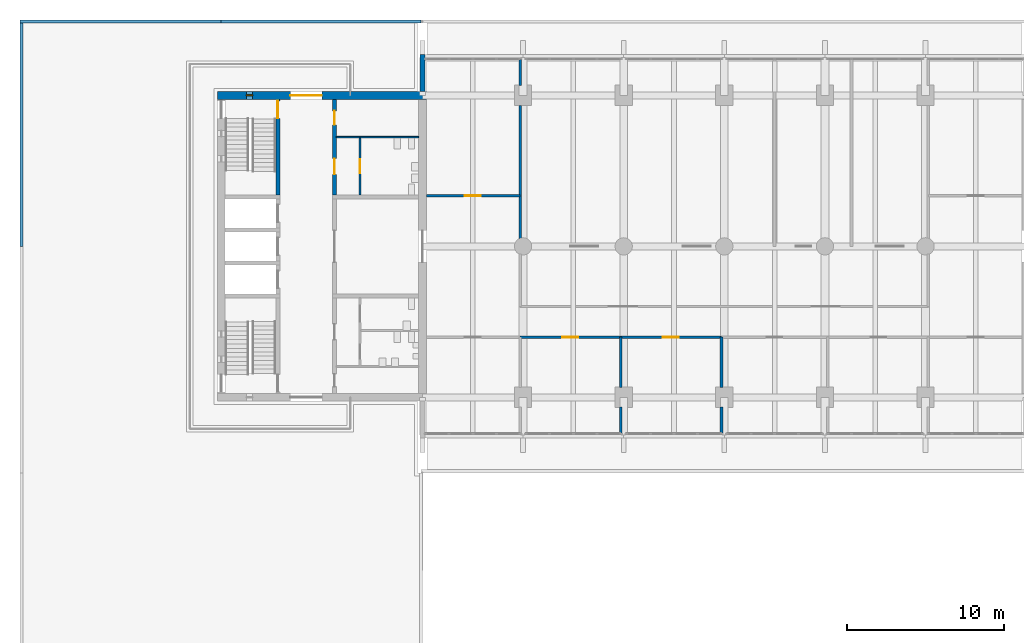
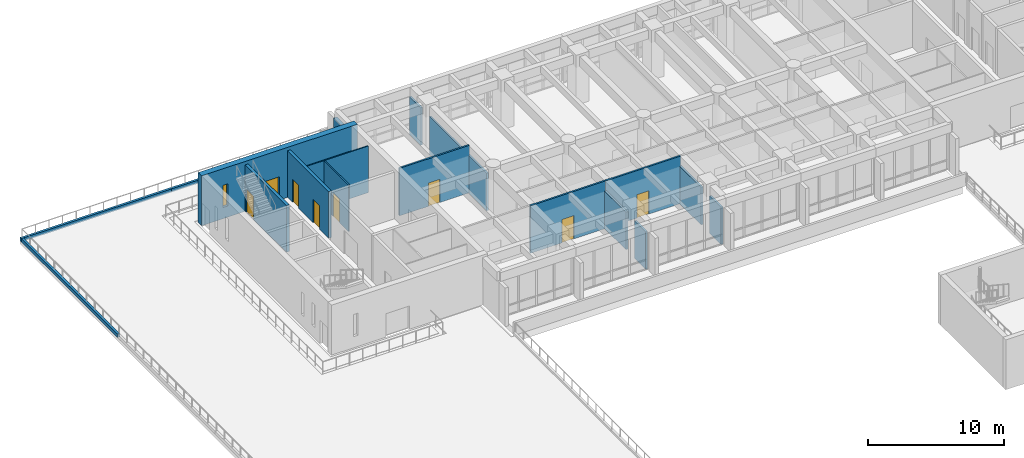
# One storey, part 12 of 21: 18 walls, 8 doors, 1 window, 9 openings.
"""IFC4 building model written with IfcOpenShell, lengths in metres."""

from ifc_helpers import new_model, si_unit, direction, frame, frame_2d, origin, place, context, subcontext, project, spatial, rectangle, extrude, material, layer, layer_set, type_object, element, fill, save


model = new_model("IFC4")

# Units and contexts
model_context = context("Model", 3, precision=1e-05, world=origin(), true_north=direction((0.0, 1.0)))
body_context = subcontext(model_context, "Body", "Model", "MODEL_VIEW")
ifc_project = project(units=[si_unit("LENGTHUNIT", "METRE"), si_unit("AREAUNIT", "SQUARE_METRE"), si_unit("VOLUMEUNIT", "CUBIC_METRE"), si_unit("PLANEANGLEUNIT", "RADIAN"), si_unit("MASSUNIT", "GRAM", prefix="KILO")], contexts=[model_context])

# Site, building, storey
site_placement = place(None, origin())
site = spatial("IfcSite", under=ifc_project, at=site_placement, CompositionType="ELEMENT")
building_placement = place(site_placement, origin())
building = spatial("IfcBuilding", under=site, at=building_placement, Name="Fogon Plaza Fire Station and Headquarters Tower", CompositionType="ELEMENT")
storey_placement = place(building_placement, frame((0.0, 0.0, 8.39990234375)))
storey = spatial("IfcBuildingStorey", under=building, at=storey_placement, Name="L02", CompositionType="ELEMENT", Elevation=8.39990234375)

# Wall, opening, door
ifc_material_1 = material(Name="Concrete C40", Category="concrete")
ifc_layer_1 = layer(ifc_material_1, 0.25)
ifc_layer_set_1 = layer_set([ifc_layer_1], Name="Concrete C40")
wall_type_1 = type_object("IfcWallType", Name="Core Wall RC 250", PredefinedType="SOLIDWALL", material=ifc_layer_set_1)
wall_1_placement = place(storey_placement, frame((16.39990234375, 46.47509765625, 0.0), z_axis=(0.0, 0.0, 1.0), x_axis=(0.0, 1.0, 0.0)))
wall_1 = element("IfcWall", 1, at=wall_1_placement, inside=storey, type_object=wall_type_1, Name="Core A shaft wall", PredefinedType="SOLIDWALL", context=body_context, shape_type="SweptSolid", body=[
    extrude(rectangle(XDim=6.074951171875, YDim=0.25, at=frame_2d((3.03759765625, 0.0))), origin(), (0.0, 0.0, 1.0), 4.2001953125),
])
opening_1_placement = place(wall_1_placement, frame((4.875, 0.0, 0.0)))
opening_1 = element("IfcOpeningElement", 2, at=opening_1_placement, cuts=wall_1, Name="Opening L02-D02", PredefinedType="OPENING", context=body_context, shape_type="SweptSolid", body=[
    extrude(rectangle(XDim=1.10009765625, YDim=2.10009765625, at=frame_2d((0.550048828125, 1.050048828125))), frame((0.0, 0.135009765625, 0.0), z_axis=(0.0, -1.0, 0.0), x_axis=(1.0, 0.0, 0.0)), (0.0, 0.0, 1.0), 0.27001953125),
])
ifc_material_2 = material(Name="Steel Fire Door Leaf", Category="steel")
door_type_1 = type_object("IfcDoorType", Name="Stair Door Single 1100x2100", OperationType="SINGLE_SWING_LEFT", PredefinedType="DOOR", material=ifc_material_2)
door_1_placement = place(opening_1_placement, origin())
door_1 = element("IfcDoor", 3, at=door_1_placement, inside=storey, type_object=door_type_1, Name="Stair door ST2", OperationType="SINGLE_SWING_RIGHT", OverallHeight=2.10009765625, OverallWidth=1.10009765625, PredefinedType="DOOR", context=body_context, shape_type="SweptSolid", body=[
    extrude(rectangle(XDim=1.10009765625, YDim=2.10009765625, at=frame_2d((0.550048828125, 1.050048828125))), frame((0.0, 0.02490234375, 0.0), z_axis=(0.0, -1.0, 0.0), x_axis=(1.0, 0.0, 0.0)), (0.0, 0.0, 1.0), 0.050048828125),
])
fill(opening_1, door_1)

# Wall, openings, doors
wall_2_placement = place(storey_placement, frame((20.0, 46.47509765625, 0.0), z_axis=(0.0, 0.0, 1.0), x_axis=(0.0, 1.0, 0.0)))
wall_2 = element("IfcWall", 4, at=wall_2_placement, inside=storey, type_object=wall_type_1, Name="Core A shaft wall", PredefinedType="SOLIDWALL", context=body_context, shape_type="SweptSolid", body=[
    extrude(rectangle(XDim=6.074951171875, YDim=0.25, at=frame_2d((3.03759765625, 0.0))), origin(), (0.0, 0.0, 1.0), 4.2001953125),
])
opening_2_placement = place(wall_2_placement, frame((1.3125, 0.0, 0.0)))
opening_2 = element("IfcOpeningElement", 5, at=opening_2_placement, cuts=wall_2, Name="Opening L02-D12", PredefinedType="OPENING", context=body_context, shape_type="SweptSolid", body=[
    extrude(rectangle(XDim=1.0, YDim=2.10009765625, at=frame_2d((0.5, 1.050048828125))), frame((0.0, 0.135009765625, 0.0), z_axis=(0.0, -1.0, 0.0), x_axis=(1.0, 0.0, 0.0)), (0.0, 0.0, 1.0), 0.27001953125),
])
opening_3_placement = place(wall_2_placement, frame((4.449951171875, 0.0, 0.0)))
opening_3 = element("IfcOpeningElement", 6, at=opening_3_placement, cuts=wall_2, Name="Opening L02-D14", PredefinedType="OPENING", context=body_context, shape_type="SweptSolid", body=[
    extrude(rectangle(XDim=0.89990234375, YDim=2.10009765625, at=frame_2d((0.449951171875, 1.050048828125))), frame((0.0, 0.135009765625, 0.0), z_axis=(0.0, -1.0, 0.0), x_axis=(1.0, 0.0, 0.0)), (0.0, 0.0, 1.0), 0.27001953125),
])
ifc_material_3 = material(Name="Steel Fire Door Leaf", Category="steel")
door_type_2 = type_object("IfcDoorType", Name="Riser Single 900x2100", OperationType="SINGLE_SWING_LEFT", PredefinedType="DOOR", material=ifc_material_3)
door_2_placement = place(opening_3_placement, frame((0.89990234375, 0.0, 0.0), z_axis=(0.0, 0.0, 1.0), x_axis=(-1.0, 0.0, 0.0)))
door_2 = element("IfcDoor", 7, at=door_2_placement, inside=storey, type_object=door_type_2, Name="Riser room A door", OperationType="SINGLE_SWING_RIGHT", OverallHeight=2.10009765625, OverallWidth=0.89990234375, PredefinedType="DOOR", context=body_context, shape_type="SweptSolid", body=[
    extrude(rectangle(XDim=0.89990234375, YDim=2.10009765625, at=frame_2d((0.449951171875, 1.050048828125))), frame((0.0, 0.02490234375, 0.0), z_axis=(0.0, -1.0, 0.0), x_axis=(1.0, 0.0, 0.0)), (0.0, 0.0, 1.0), 0.050048828125),
])
fill(opening_3, door_2)
ifc_material_4 = material(Name="Timber fire door", Category="wood")
door_type_3 = type_object("IfcDoorType", Name="WC Lobby Single 1000x2100", OperationType="SINGLE_SWING_LEFT", PredefinedType="DOOR", material=ifc_material_4)
door_3_placement = place(opening_2_placement, frame((1.0, 0.0, 0.0), z_axis=(0.0, 0.0, 1.0), x_axis=(-1.0, 0.0, 0.0)))
door_3 = element("IfcDoor", 8, at=door_3_placement, inside=storey, type_object=door_type_3, Name="Women's WC lobby A door", OperationType="SINGLE_SWING_RIGHT", OverallHeight=2.10009765625, OverallWidth=1.0, PredefinedType="DOOR", context=body_context, shape_type="SweptSolid", body=[
    extrude(rectangle(XDim=1.0, YDim=2.10009765625, at=frame_2d((0.5, 1.050048828125))), frame((0.0, 0.02490234375, 0.0), z_axis=(0.0, -1.0, 0.0), x_axis=(1.0, 0.0, 0.0)), (0.0, 0.0, 1.0), 0.050048828125),
])
fill(opening_2, door_3)

# Wall
ifc_material_5 = material(Name="Concrete C40", Category="concrete")
ifc_layer_2 = layer(ifc_material_5, 0.300048828125)
ifc_layer_set_2 = layer_set([ifc_layer_2], Name="Concrete C40")
wall_type_2 = type_object("IfcWallType", Name="Fair-faced RC Return Panel 300", PredefinedType="SOLIDWALL", material=ifc_layer_set_2)
wall_3_placement = place(storey_placement, frame((25.60009765625, 53.050048828125, 0.0), z_axis=(0.0, 0.0, 1.0), x_axis=(0.0, 1.0, 0.0)))
element("IfcWall", 9, at=wall_3_placement, inside=storey, type_object=wall_type_2, Name="Bar end return WN L02", PredefinedType="SOLIDWALL", context=body_context, shape_type="SweptSolid", body=[
    extrude(rectangle(XDim=2.349853515625, YDim=0.300048828125, at=frame_2d((1.1748046875, 0.0))), origin(), (0.0, 0.0, 1.0), 3.47998046875),
])

# Wall, opening, door
ifc_material_6 = material(Name="Blockwork", Category="masonry")
ifc_layer_3 = layer(ifc_material_6, 0.10009765625)
ifc_layer_set_3 = layer_set([ifc_layer_3], Name="Blockwork")
wall_type_3 = type_object("IfcWallType", Name="Partition Blockwork 100", PredefinedType="PARTITIONING", material=ifc_layer_set_3)
wall_4_placement = place(storey_placement, frame((21.625, 46.47509765625, 0.0), z_axis=(0.0, 0.0, 1.0), x_axis=(0.0, 1.0, 0.0)))
wall_4 = element("IfcWall", 10, at=wall_4_placement, inside=storey, type_object=wall_type_3, Name="WC block partition", PredefinedType="PARTITIONING", context=body_context, shape_type="SweptSolid", body=[
    extrude(rectangle(XDim=3.625, YDim=0.10009765625, at=frame_2d((1.8125, 0.0))), origin(), (0.0, 0.0, 1.0), 4.2001953125),
])
opening_4_placement = place(wall_4_placement, frame((1.362548828125, 0.0, 0.0)))
opening_4 = element("IfcOpeningElement", 11, at=opening_4_placement, cuts=wall_4, Name="Opening L02-D13", PredefinedType="OPENING", context=body_context, shape_type="SweptSolid", body=[
    extrude(rectangle(XDim=0.89990234375, YDim=2.10009765625, at=frame_2d((0.449951171875, 1.050048828125))), frame((0.0, 0.06005859375, 0.0), z_axis=(0.0, -1.0, 0.0), x_axis=(1.0, 0.0, 0.0)), (0.0, 0.0, 1.0), 0.1201171875),
])
ifc_material_7 = material(Name="Timber Door Leaf", Category="wood")
door_type_4 = type_object("IfcDoorType", Name="WC Single 900x2100", OperationType="SINGLE_SWING_LEFT", PredefinedType="DOOR", material=ifc_material_7)
door_4_placement = place(opening_4_placement, frame((0.89990234375, 0.0, 0.0), z_axis=(0.0, 0.0, 1.0), x_axis=(-1.0, 0.0, 0.0)))
door_4 = element("IfcDoor", 12, at=door_4_placement, inside=storey, type_object=door_type_4, Name="Women's WC A door", OperationType="SINGLE_SWING_LEFT", OverallHeight=2.10009765625, OverallWidth=0.89990234375, PredefinedType="DOOR", context=body_context, shape_type="SweptSolid", body=[
    extrude(rectangle(XDim=0.89990234375, YDim=2.10009765625, at=frame_2d((0.449951171875, 1.050048828125))), frame((0.0, 0.02490234375, 0.0), z_axis=(0.0, -1.0, 0.0), x_axis=(1.0, 0.0, 0.0)), (0.0, 0.0, 1.0), 0.050048828125),
])
fill(opening_4, door_4)

# Wall
ifc_material_8 = material(Name="Blockwork", Category="masonry")
ifc_layer_4 = layer(ifc_material_8, 0.10009765625)
ifc_layer_set_4 = layer_set([ifc_layer_4], Name="Blockwork")
wall_type_4 = type_object("IfcWallType", Name="Riser Partition Blockwork 100", PredefinedType="PARTITIONING", material=ifc_layer_set_4)
wall_5_placement = place(storey_placement, frame((20.125, 50.14990234375, 0.0), z_axis=(0.0, 0.0, 1.0), x_axis=(1.0, 0.0, 0.0)))
element("IfcWall", 13, at=wall_5_placement, inside=storey, type_object=wall_type_4, Name="Riser room partition", PredefinedType="PARTITIONING", context=body_context, shape_type="SweptSolid", body=[
    extrude(rectangle(XDim=5.22509765625, YDim=0.10009765625, at=frame_2d((2.612548828125, 0.0))), origin(), (0.0, 0.0, 1.0), 4.2001953125),
])

# Wall, openings, door, window
ifc_material_9 = material(Name="Concrete C40", Category="concrete")
ifc_layer_5 = layer(ifc_material_9, 0.5)
ifc_layer_set_5 = layer_set([ifc_layer_5], Name="Concrete C40")
wall_type_5 = type_object("IfcWallType", Name="Shear wall 500 SW50", PredefinedType="SHEAR", material=ifc_layer_set_5)
wall_6_placement = place(storey_placement, frame((12.550048828125, 52.800048828125, 0.0), z_axis=(0.0, 0.0, 1.0), x_axis=(1.0, 0.0, 0.0)))
wall_6 = element("IfcWall", 14, at=wall_6_placement, inside=storey, type_object=wall_type_5, Name="wall-coreA-N-L02", PredefinedType="SHEAR", context=body_context, shape_type="SweptSolid", body=[
    extrude(rectangle(XDim=13.300048828125, YDim=0.5, at=frame_2d((6.64990234375, 0.0))), origin(), (0.0, 0.0, 1.0), 4.5),
])
opening_5_placement = place(wall_6_placement, frame((1.85009765625, 0.0, 1.0)))
opening_5 = element("IfcOpeningElement", 15, at=opening_5_placement, cuts=wall_6, Name="Opening WS1", PredefinedType="OPENING", context=body_context, shape_type="SweptSolid", body=[
    extrude(rectangle(XDim=0.39990234375, YDim=2.0, at=frame_2d((0.199951171875, 1.0))), frame((0.0, 0.260009765625, 0.0), z_axis=(0.0, -1.0, 0.0), x_axis=(1.0, 0.0, 0.0)), (0.0, 0.0, 1.0), 0.52001953125),
])
opening_6_placement = place(wall_6_placement, frame((4.64990234375, 0.0, 0.0)))
opening_6 = element("IfcOpeningElement", 16, at=opening_6_placement, cuts=wall_6, Name="Opening L02-D16", PredefinedType="OPENING", context=body_context, shape_type="SweptSolid", body=[
    extrude(rectangle(XDim=2.0, YDim=2.10009765625, at=frame_2d((1.0, 1.050048828125))), frame((0.0, 0.260009765625, 0.0), z_axis=(0.0, -1.0, 0.0), x_axis=(1.0, 0.0, 0.0)), (0.0, 0.0, 1.0), 0.52001953125),
])
ifc_material_10 = material(Name="Steel Fire Door Leaf", Category="steel")
door_type_5 = type_object("IfcDoorType", Name="Core Lobby Double 2000x2100", OperationType="DOUBLE_DOOR_SINGLE_SWING", PredefinedType="DOOR", material=ifc_material_10)
door_5_placement = place(opening_6_placement, origin())
door_5 = element("IfcDoor", 17, at=door_5_placement, inside=storey, type_object=door_type_5, Name="Core A lobby door N", OperationType="DOUBLE_DOOR_SINGLE_SWING", OverallHeight=2.10009765625, OverallWidth=2.0, PredefinedType="DOOR", context=body_context, shape_type="SweptSolid", body=[
    extrude(rectangle(XDim=2.0, YDim=2.10009765625, at=frame_2d((1.0, 1.050048828125))), frame((0.0, 0.02490234375, 0.0), z_axis=(0.0, -1.0, 0.0), x_axis=(1.0, 0.0, 0.0)), (0.0, 0.0, 1.0), 0.050048828125),
])
fill(opening_6, door_5)
ifc_material_11 = material(Name="Aluminium framed double glazing", Category="aluminium")
window_type = type_object("IfcWindowType", Name="Slit Window WS1 400x2000", PartitioningType="SINGLE_PANEL", PredefinedType="WINDOW", material=ifc_material_11)
window_placement = place(opening_5_placement, origin())
window = element("IfcWindow", 18, at=window_placement, inside=storey, type_object=window_type, Name="Slit window A6 L02", OverallHeight=2.0, OverallWidth=0.39990234375, PartitioningType="SINGLE_PANEL", PredefinedType="WINDOW", context=body_context, shape_type="SweptSolid", body=[
    extrude(rectangle(XDim=0.39990234375, YDim=2.0, at=frame_2d((0.199951171875, 1.0))), frame((0.0, 0.030029296875, 0.0), z_axis=(0.0, -1.0, 0.0), x_axis=(1.0, 0.0, 0.0)), (0.0, 0.0, 1.0), 0.06005859375),
])
fill(opening_5, window)

# Walls
ifc_material_12 = material(Name="Double gypsum board on twin steel stud", Category="steel")
ifc_layer_6 = layer(ifc_material_12, 0.175048828125)
ifc_layer_set_6 = layer_set([ifc_layer_6], Name="Double gypsum board on twin steel stud")
wall_type_6 = type_object("IfcWallType", Name="Tower acoustic partition 175 Beam Head 900", PredefinedType="PARTITIONING", material=ifc_layer_set_6)
wall_7_placement = place(storey_placement, frame((38.219970703125, 31.300048828125, 0.0), z_axis=(0.0, 0.0, 1.0), x_axis=(0.0, 1.0, 0.0)))
element("IfcWall", 19, at=wall_7_placement, inside=storey, type_object=wall_type_6, Name="part-L02-09", PredefinedType="PARTITIONING", context=body_context, shape_type="SweptSolid", body=[
    extrude(rectangle(XDim=1.669921875, YDim=0.175048828125, at=frame_2d((0.8349609375, 0.0))), origin(), (0.0, 0.0, 1.0), 3.380126953125),
])
wall_8_placement = place(storey_placement, frame((38.219970703125, 34.22998046875, 0.0), z_axis=(0.0, 0.0, 1.0), x_axis=(0.0, 1.0, 0.0)))
element("IfcWall", 20, at=wall_8_placement, inside=storey, type_object=wall_type_6, Name="part-L02-10", PredefinedType="PARTITIONING", context=body_context, shape_type="SweptSolid", body=[
    extrude(rectangle(XDim=3.195068359375, YDim=0.175048828125, at=frame_2d((1.59765625, 0.0))), origin(), (0.0, 0.0, 1.0), 3.380126953125),
])
wall_9_placement = place(storey_placement, frame((44.6201171875, 31.300048828125, 0.0), z_axis=(0.0, 0.0, 1.0), x_axis=(0.0, 1.0, 0.0)))
element("IfcWall", 21, at=wall_9_placement, inside=storey, type_object=wall_type_6, Name="part-L02-11", PredefinedType="PARTITIONING", context=body_context, shape_type="SweptSolid", body=[
    extrude(rectangle(XDim=1.669921875, YDim=0.175048828125, at=frame_2d((0.8349609375, 0.0))), origin(), (0.0, 0.0, 1.0), 3.380126953125),
])
wall_10_placement = place(storey_placement, frame((44.6201171875, 34.22998046875, 0.0), z_axis=(0.0, 0.0, 1.0), x_axis=(0.0, 1.0, 0.0)))
element("IfcWall", 22, at=wall_10_placement, inside=storey, type_object=wall_type_6, Name="part-L02-12", PredefinedType="PARTITIONING", context=body_context, shape_type="SweptSolid", body=[
    extrude(rectangle(XDim=3.195068359375, YDim=0.175048828125, at=frame_2d((1.59765625, 0.0))), origin(), (0.0, 0.0, 1.0), 3.380126953125),
])

# Wall, opening, door
ifc_material_13 = material(Name="Gypsum board on steel stud", Category="steel")
ifc_layer_7 = layer(ifc_material_13, 0.14990234375)
ifc_layer_set_7 = layer_set([ifc_layer_7], Name="Gypsum board on steel stud")
wall_type_7 = type_object("IfcWallType", Name="Tower corridor partition 150 EI 60", PredefinedType="PARTITIONING", material=ifc_layer_set_7)
wall_11_placement = place(storey_placement, frame((31.820068359375, 37.425048828125, 0.0), z_axis=(0.0, 0.0, 1.0), x_axis=(1.0, 0.0, 0.0)))
wall_11 = element("IfcWall", 23, at=wall_11_placement, inside=storey, type_object=wall_type_7, Name="part-L02-02", PredefinedType="PARTITIONING", context=body_context, shape_type="SweptSolid", body=[
    extrude(rectangle(XDim=6.39990234375, YDim=0.14990234375, at=frame_2d((3.199951171875, 0.0))), origin(), (0.0, 0.0, 1.0), 4.280029296875),
])
opening_7_placement = place(wall_11_placement, frame((2.679931640625, 0.0, 0.0)))
opening_7 = element("IfcOpeningElement", 24, at=opening_7_placement, cuts=wall_11, Name="Opening L02-D38", PredefinedType="OPENING", context=body_context, shape_type="SweptSolid", body=[
    extrude(rectangle(XDim=1.0, YDim=2.10009765625, at=frame_2d((0.5, 1.050048828125))), frame((0.0, 0.0849609375, 0.0), z_axis=(0.0, -1.0, 0.0), x_axis=(1.0, 0.0, 0.0)), (0.0, 0.0, 1.0), 0.169921875),
])
ifc_material_14 = material(Name="Timber fire door", Category="wood")
door_type_6 = type_object("IfcDoorType", Name="Tower fire door single 1000 EI 20", OperationType="SINGLE_SWING_LEFT", PredefinedType="DOOR", material=ifc_material_14)
door_6_placement = place(opening_7_placement, frame((1.0, 0.0, 0.0), z_axis=(0.0, 0.0, 1.0), x_axis=(-1.0, 0.0, 0.0)))
door_6 = element("IfcDoor", 25, at=door_6_placement, inside=storey, type_object=door_type_6, Name="door-L02-02", OperationType="SINGLE_SWING_RIGHT", OverallHeight=2.10009765625, OverallWidth=1.0, PredefinedType="DOOR", context=body_context, shape_type="SweptSolid", body=[
    extrude(rectangle(XDim=1.0, YDim=2.10009765625, at=frame_2d((0.5, 1.050048828125))), frame((0.0, 0.02490234375, 0.0), z_axis=(0.0, -1.0, 0.0), x_axis=(1.0, 0.0, 0.0)), (0.0, 0.0, 1.0), 0.050048828125),
])
fill(opening_7, door_6)

wall_12_placement = place(storey_placement, frame((38.219970703125, 37.425048828125, 0.0), z_axis=(0.0, 0.0, 1.0), x_axis=(1.0, 0.0, 0.0)))
wall_12 = element("IfcWall", 26, at=wall_12_placement, inside=storey, type_object=wall_type_7, Name="part-L02-03", PredefinedType="PARTITIONING", context=body_context, shape_type="SweptSolid", body=[
    extrude(rectangle(XDim=6.400146484375, YDim=0.14990234375, at=frame_2d((3.2001953125, 0.0))), origin(), (0.0, 0.0, 1.0), 4.280029296875),
])
opening_8_placement = place(wall_12_placement, frame((2.679931640625, 0.0, 0.0)))
opening_8 = element("IfcOpeningElement", 27, at=opening_8_placement, cuts=wall_12, Name="Opening L02-D39", PredefinedType="OPENING", context=body_context, shape_type="SweptSolid", body=[
    extrude(rectangle(XDim=1.0, YDim=2.10009765625, at=frame_2d((0.5, 1.050048828125))), frame((0.0, 0.0849609375, 0.0), z_axis=(0.0, -1.0, 0.0), x_axis=(1.0, 0.0, 0.0)), (0.0, 0.0, 1.0), 0.169921875),
])
door_7_placement = place(opening_8_placement, frame((1.0, 0.0, 0.0), z_axis=(0.0, 0.0, 1.0), x_axis=(-1.0, 0.0, 0.0)))
door_7 = element("IfcDoor", 28, at=door_7_placement, inside=storey, type_object=door_type_6, Name="door-L02-03", OperationType="SINGLE_SWING_LEFT", OverallHeight=2.10009765625, OverallWidth=1.0, PredefinedType="DOOR", context=body_context, shape_type="SweptSolid", body=[
    extrude(rectangle(XDim=1.0, YDim=2.10009765625, at=frame_2d((0.5, 1.050048828125))), frame((0.0, 0.02490234375, 0.0), z_axis=(0.0, -1.0, 0.0), x_axis=(1.0, 0.0, 0.0)), (0.0, 0.0, 1.0), 0.050048828125),
])
fill(opening_8, door_7)

wall_13_placement = place(storey_placement, frame((25.85009765625, 46.425048828125, 0.0), z_axis=(0.0, 0.0, 1.0), x_axis=(1.0, 0.0, 0.0)))
wall_13 = element("IfcWall", 29, at=wall_13_placement, inside=storey, type_object=wall_type_7, Name="part-L02-21", PredefinedType="PARTITIONING", context=body_context, shape_type="SweptSolid", body=[
    extrude(rectangle(XDim=5.969970703125, YDim=0.14990234375, at=frame_2d((2.98486328125, 0.0))), origin(), (0.0, 0.0, 1.0), 4.280029296875),
])
opening_9_placement = place(wall_13_placement, frame((2.449951171875, 0.0, 0.0)))
opening_9 = element("IfcOpeningElement", 30, at=opening_9_placement, cuts=wall_13, Name="Opening L02-D45", PredefinedType="OPENING", context=body_context, shape_type="SweptSolid", body=[
    extrude(rectangle(XDim=1.0, YDim=2.10009765625, at=frame_2d((0.5, 1.050048828125))), frame((0.0, 0.0849609375, 0.0), z_axis=(0.0, -1.0, 0.0), x_axis=(1.0, 0.0, 0.0)), (0.0, 0.0, 1.0), 0.169921875),
])
door_8_placement = place(opening_9_placement, origin())
door_8 = element("IfcDoor", 31, at=door_8_placement, inside=storey, type_object=door_type_6, Name="door-L02-09", OperationType="SINGLE_SWING_RIGHT", OverallHeight=2.10009765625, OverallWidth=1.0, PredefinedType="DOOR", context=body_context, shape_type="SweptSolid", body=[
    extrude(rectangle(XDim=1.0, YDim=2.10009765625, at=frame_2d((0.5, 1.050048828125))), frame((0.0, 0.02490234375, 0.0), z_axis=(0.0, -1.0, 0.0), x_axis=(1.0, 0.0, 0.0)), (0.0, 0.0, 1.0), 0.050048828125),
])
fill(opening_9, door_8)

# Walls
ifc_material_15 = material(Name="Gypsum board on steel stud", Category="steel")
ifc_layer_8 = layer(ifc_material_15, 0.14990234375)
ifc_layer_set_8 = layer_set([ifc_layer_8], Name="Gypsum board on steel stud")
wall_type_8 = type_object("IfcWallType", Name="Tower corridor partition 150 EI 60 Beam Head 900", PredefinedType="PARTITIONING", material=ifc_layer_set_8)
wall_14_placement = place(storey_placement, frame((31.820068359375, 43.69970703125, 0.0), z_axis=(0.0, 0.0, 1.0), x_axis=(0.0, 1.0, 0.0)))
element("IfcWall", 32, at=wall_14_placement, inside=storey, type_object=wall_type_8, Name="part-L02-23", PredefinedType="PARTITIONING", context=body_context, shape_type="SweptSolid", body=[
    extrude(rectangle(XDim=8.47021484375, YDim=0.14990234375, at=frame_2d((4.235107421875, 0.0))), origin(), (0.0, 0.0, 1.0), 3.380126953125),
])
wall_15_placement = place(storey_placement, frame((31.820068359375, 53.429931640625, 0.0), z_axis=(0.0, 0.0, 1.0), x_axis=(0.0, 1.0, 0.0)))
element("IfcWall", 33, at=wall_15_placement, inside=storey, type_object=wall_type_8, Name="part-L02-24", PredefinedType="PARTITIONING", context=body_context, shape_type="SweptSolid", body=[
    extrude(rectangle(XDim=1.670166015625, YDim=0.14990234375, at=frame_2d((0.8349609375, 0.0))), origin(), (0.0, 0.0, 1.0), 3.380126953125),
])
ifc_material_16 = material(Name="Concrete C40", Category="concrete")
ifc_layer_9 = layer(ifc_material_16, 0.199951171875)
ifc_layer_set_9 = layer_set([ifc_layer_9], Name="Concrete C40")
wall_type_9 = type_object("IfcWallType", Name="Upstand Kerb RC 200x300", PredefinedType="PARAPET", material=ifc_layer_set_9)
wall_16_placement = place(storey_placement, frame((0.10009765625, 43.199951171875, 0.0), z_axis=(0.0, 0.0, 1.0), x_axis=(0.0, 1.0, 0.0)))
element("IfcWall", 34, at=wall_16_placement, inside=storey, type_object=wall_type_9, Name="wall-L02-UKW008", PredefinedType="PARAPET", context=body_context, shape_type="SweptSolid", body=[
    extrude(rectangle(XDim=14.300048828125, YDim=0.199951171875, at=frame_2d((7.14990234375, 0.0))), origin(), (0.0, 0.0, 1.0), 0.300048828125),
])
wall_17_placement = place(storey_placement, frame((0.0, 57.5, 0.0), z_axis=(0.0, 0.0, 1.0), x_axis=(1.0, 0.0, 0.0)))
element("IfcWall", 35, at=wall_17_placement, inside=storey, type_object=wall_type_9, Name="wall-L02-UKW009", PredefinedType="PARAPET", context=body_context, shape_type="SweptSolid", body=[
    extrude(rectangle(XDim=12.800048828125, YDim=0.199951171875, at=frame_2d((6.39990234375, 0.0))), origin(), (0.0, 0.0, 1.0), 0.300048828125),
])
wall_18_placement = place(storey_placement, frame((12.800048828125, 57.5, 0.0), z_axis=(0.0, 0.0, 1.0), x_axis=(1.0, 0.0, 0.0)))
element("IfcWall", 36, at=wall_18_placement, inside=storey, type_object=wall_type_9, Name="wall-L02-UKW010", PredefinedType="PARAPET", context=body_context, shape_type="SweptSolid", body=[
    extrude(rectangle(XDim=12.699951171875, YDim=0.199951171875, at=frame_2d((6.35009765625, 0.0))), origin(), (0.0, 0.0, 1.0), 0.300048828125),
])

save(model, "model.ifc")
